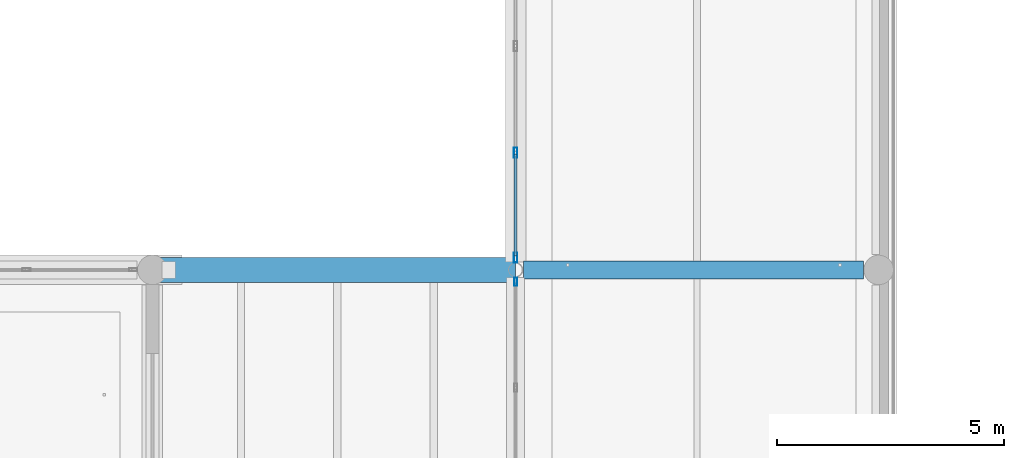
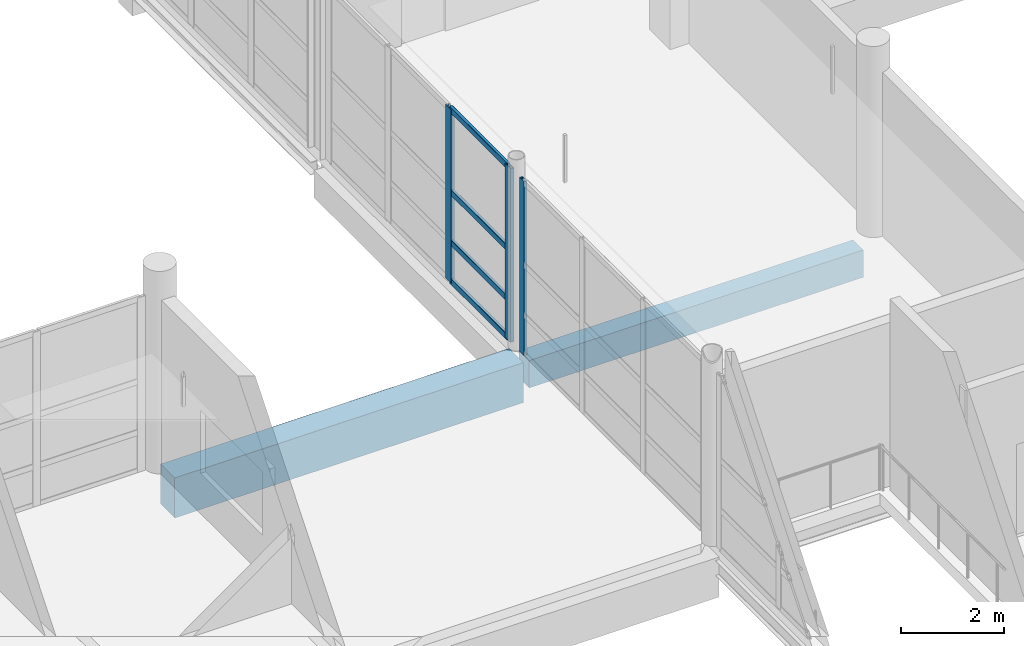
# One storey, part 32 of 107: 7 members, 2 beams, 2 elements without a shape of their own.
"""IFC4 building model written with IfcOpenShell, lengths in metres."""

from ifc_helpers import new_model, si_unit, direction, frame, origin, origin_2d, place, context, subcontext, project, spatial, rectangle, hollow_rectangle, extrude, material, material_profile, profile_set, type_object, element, aggregate, save


model = new_model("IFC4")

# Units and contexts
model_context = context("Model", 3, precision=1e-05, world=origin(), true_north=direction((0.0, 1.0)))
body_context = subcontext(model_context, "Body", "Model", "MODEL_VIEW")
ifc_project = project(units=[si_unit("LENGTHUNIT", "METRE"), si_unit("AREAUNIT", "SQUARE_METRE"), si_unit("VOLUMEUNIT", "CUBIC_METRE"), si_unit("PLANEANGLEUNIT", "RADIAN"), si_unit("MASSUNIT", "GRAM", prefix="KILO")], contexts=[model_context])

# Site, building, storey
site_placement = place(None, origin())
site = spatial("IfcSite", under=ifc_project, at=site_placement, CompositionType="ELEMENT")
building_placement = place(site_placement, origin())
building = spatial("IfcBuilding", under=site, at=building_placement, Name="Khelvaren Railside Concert Hall", CompositionType="ELEMENT")
storey_placement = place(building_placement, frame((0.0, 0.0, 15.0)))
storey = spatial("IfcBuildingStorey", under=building, at=storey_placement, Name="L03", CompositionType="ELEMENT", Elevation=15.0)

# Beam
ifc_material_1 = material(Name="Concrete C40/50", Category="concrete")
ifc_material_profile_1 = material_profile(ifc_material_1, rectangle(XDim=0.39990234375, YDim=0.64990234375, at=origin_2d()), Name="RCB 400x650")
ifc_profile_set_1 = profile_set([ifc_material_profile_1], Name="Concrete C40/50")
beam_type_1 = type_object("IfcBeamType", Name="BM33", PredefinedType="BEAM", material=ifc_profile_set_1)
beam_1_placement = place(storey_placement, frame((144.170654296875, 15.199951171875, -0.60498046875), z_axis=(1.0, 0.0, 0.0), x_axis=(0.0, 1.0, 0.0)))
element("IfcBeam", 1, at=beam_1_placement, inside=storey, type_object=beam_type_1, Name="V2 L03 Beam X3.1", PredefinedType="BEAM", context=body_context, shape_type="SweptSolid", body=[
    extrude(rectangle(XDim=0.39990234375, YDim=0.64990234375, at=origin_2d()), origin(), (0.0, 0.0, 1.0), 7.493408203125),
])

# Curtain wall, members
ifc_material_2 = material(Name="Double-glazed clear foyer glass", Category="glass")
curtain_wall_type_1 = type_object("IfcCurtainWallType", Name="CW68", PredefinedType="USERDEFINED", material=ifc_material_2)
curtain_wall_1_placement = place(storey_placement, origin())
curtain_wall_1 = element("IfcCurtainWall", 2, at=curtain_wall_1_placement, inside=storey, type_object=curtain_wall_type_1, Name="Unitised Curtain Wall CW-V2-L03-W-15", ObjectType="UNITISED CURTAIN WALL", PredefinedType="USERDEFINED")
ifc_material_3 = material(Name="Anodised architectural aluminium 6063-T6", Category="aluminium")
ifc_material_profile_2 = material_profile(ifc_material_3, hollow_rectangle(XDim=0.074951171875, YDim=0.219970703125, WallThickness=0.0048828125, InnerFilletRadius=0.0029296875, OuterFilletRadius=0.0048828125, at=origin_2d()), Name="CWM 75x220x5")
ifc_profile_set_2 = profile_set([ifc_material_profile_2], Name="Anodised architectural aluminium 6063-T6")
member_type_1 = type_object("IfcMemberType", Name="CWM13", PredefinedType="MULLION", material=ifc_profile_set_2)
member_1_placement = place(storey_placement, frame((144.0, 15.471923828125, 0.0), z_axis=(0.0, 0.0, 1.0), x_axis=(-1.0, 0.0, 0.0)))
member_1 = element("IfcMember", 3, at=member_1_placement, type_object=member_type_1, Name="CW68 mullion 1", PredefinedType="MULLION", context=body_context, shape_type="SweptSolid", body=[
    extrude(hollow_rectangle(XDim=0.074951171875, YDim=0.219970703125, WallThickness=0.0048828125, InnerFilletRadius=0.0029296875, OuterFilletRadius=0.0048828125, at=origin_2d()), origin(), (0.0, 0.0, 1.0), 4.1201171875),
])
member_2_placement = place(storey_placement, frame((144.0, 17.7822265625, 0.0), z_axis=(0.0, 0.0, 1.0), x_axis=(-1.0, 0.0, 0.0)))
member_2 = element("IfcMember", 4, at=member_2_placement, type_object=member_type_1, Name="CW68 mullion 2", PredefinedType="MULLION", context=body_context, shape_type="SweptSolid", body=[
    extrude(hollow_rectangle(XDim=0.074951171875, YDim=0.219970703125, WallThickness=0.0048828125, InnerFilletRadius=0.0029296875, OuterFilletRadius=0.0048828125, at=origin_2d()), origin(), (0.0, 0.0, 1.0), 4.1201171875),
])

# Curtain wall, member
ifc_material_4 = material(Name="Double-glazed low-E dark acoustic glass", Category="glass")
curtain_wall_type_2 = type_object("IfcCurtainWallType", Name="CW65", PredefinedType="USERDEFINED", material=ifc_material_4)
curtain_wall_2_placement = place(storey_placement, origin())
curtain_wall_2 = element("IfcCurtainWall", 5, at=curtain_wall_2_placement, inside=storey, type_object=curtain_wall_type_2, Name="Unitised Curtain Wall CW-V2-L03-W-8", ObjectType="UNITISED CURTAIN WALL", PredefinedType="USERDEFINED")
ifc_material_profile_3 = material_profile(ifc_material_3, hollow_rectangle(XDim=0.06494140625, YDim=0.179931640625, WallThickness=0.00390625, InnerFilletRadius=0.001953125, OuterFilletRadius=0.00390625, at=origin_2d()), Name="CWM 65x180x4")
ifc_profile_set_3 = profile_set([ifc_material_profile_3], Name="Anodised architectural aluminium 6063-T6")
member_type_2 = type_object("IfcMemberType", Name="CWM63", PredefinedType="MULLION", material=ifc_profile_set_3)
member_3_placement = place(storey_placement, frame((144.0, 14.93798828125, 0.0), z_axis=(0.0, 0.0, 1.0), x_axis=(-1.0, 0.0, 0.0)))
member_3 = element("IfcMember", 6, at=member_3_placement, type_object=member_type_2, Name="CW65 mullion 4", PredefinedType="MULLION", context=body_context, shape_type="SweptSolid", body=[
    extrude(hollow_rectangle(XDim=0.06494140625, YDim=0.179931640625, WallThickness=0.00390625, InnerFilletRadius=0.001953125, OuterFilletRadius=0.00390625, at=origin_2d()), origin(), (0.0, 0.0, 1.0), 4.1201171875),
])
aggregate(curtain_wall_2, [member_3])

# Member
ifc_material_profile_4 = material_profile(ifc_material_3, hollow_rectangle(XDim=0.06494140625, YDim=0.139892578125, WallThickness=0.00390625, InnerFilletRadius=0.001953125, OuterFilletRadius=0.00390625, at=origin_2d()), Name="CWT 65x140x4")
ifc_profile_set_4 = profile_set([ifc_material_profile_4], Name="Anodised architectural aluminium 6063-T6")
member_type_3 = type_object("IfcMemberType", Name="CWT72", PredefinedType="USERDEFINED", material=ifc_profile_set_4)
member_4_placement = place(storey_placement, frame((144.0, 15.509521484375, 0.032470703125), z_axis=(0.0, 1.0, 0.0), x_axis=(-1.0, 0.0, 0.0)))
member_4 = element("IfcMember", 7, at=member_4_placement, type_object=member_type_3, Name="CW68 transom 1.1", ObjectType="TRANSOM", PredefinedType="USERDEFINED", context=body_context, shape_type="SweptSolid", body=[
    extrude(hollow_rectangle(XDim=0.06494140625, YDim=0.139892578125, WallThickness=0.00390625, InnerFilletRadius=0.001953125, OuterFilletRadius=0.00390625, at=origin_2d()), origin(), (0.0, 0.0, 1.0), 2.235107421875),
])

member_5_placement = place(storey_placement, frame((144.0, 15.509521484375, 0.949951171875), z_axis=(0.0, 1.0, 0.0), x_axis=(-1.0, 0.0, 0.0)))
member_5 = element("IfcMember", 8, at=member_5_placement, type_object=member_type_3, Name="CW68 transom 1.2", ObjectType="TRANSOM", PredefinedType="USERDEFINED", context=body_context, shape_type="SweptSolid", body=[
    extrude(hollow_rectangle(XDim=0.06494140625, YDim=0.139892578125, WallThickness=0.00390625, InnerFilletRadius=0.001953125, OuterFilletRadius=0.00390625, at=origin_2d()), origin(), (0.0, 0.0, 1.0), 2.235107421875),
])

member_6_placement = place(storey_placement, frame((144.0, 15.509521484375, 2.142333984375), z_axis=(0.0, 1.0, 0.0), x_axis=(-1.0, 0.0, 0.0)))
member_6 = element("IfcMember", 9, at=member_6_placement, type_object=member_type_3, Name="CW68 transom 1.3", ObjectType="TRANSOM", PredefinedType="USERDEFINED", context=body_context, shape_type="SweptSolid", body=[
    extrude(hollow_rectangle(XDim=0.06494140625, YDim=0.139892578125, WallThickness=0.00390625, InnerFilletRadius=0.001953125, OuterFilletRadius=0.00390625, at=origin_2d()), origin(), (0.0, 0.0, 1.0), 2.235107421875),
])

member_7_placement = place(storey_placement, frame((144.0, 15.509521484375, 4.08740234375), z_axis=(0.0, 1.0, 0.0), x_axis=(-1.0, 0.0, 0.0)))
member_7 = element("IfcMember", 10, at=member_7_placement, type_object=member_type_3, Name="CW68 transom 1.4", ObjectType="TRANSOM", PredefinedType="USERDEFINED", context=body_context, shape_type="SweptSolid", body=[
    extrude(hollow_rectangle(XDim=0.06494140625, YDim=0.139892578125, WallThickness=0.00390625, InnerFilletRadius=0.001953125, OuterFilletRadius=0.00390625, at=origin_2d()), origin(), (0.0, 0.0, 1.0), 2.235107421875),
])

aggregate(curtain_wall_1, [member_1, member_2, member_4, member_5, member_6, member_7])

# Beam
ifc_material_profile_5 = material_profile(ifc_material_1, rectangle(XDim=0.550048828125, YDim=0.949951171875, at=origin_2d()), Name="RCB 550x950")
ifc_profile_set_5 = profile_set([ifc_material_profile_5], Name="Concrete C40/50")
beam_type_2 = type_object("IfcBeamType", Name="GR75", PredefinedType="T_BEAM", material=ifc_profile_set_5)
beam_2_placement = place(storey_placement, frame((136.179931640625, 15.199951171875, -0.695068359375), z_axis=(1.0, 0.0, 0.0), x_axis=(0.0, 1.0, 0.0)))
element("IfcBeam", 11, at=beam_2_placement, inside=storey, type_object=beam_type_2, Name="East Rehearsal Link Bridge L03 Bridge Girder 2", PredefinedType="T_BEAM", context=body_context, shape_type="SweptSolid", body=[
    extrude(rectangle(XDim=0.550048828125, YDim=0.949951171875, at=origin_2d()), origin(), (0.0, 0.0, 1.0), 7.820068359375),
])

save(model, "model.ifc")
